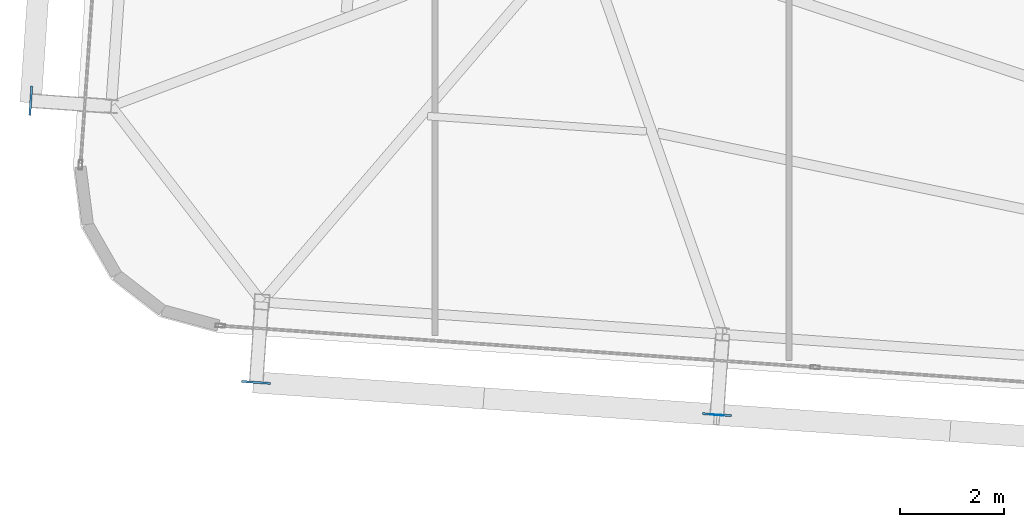
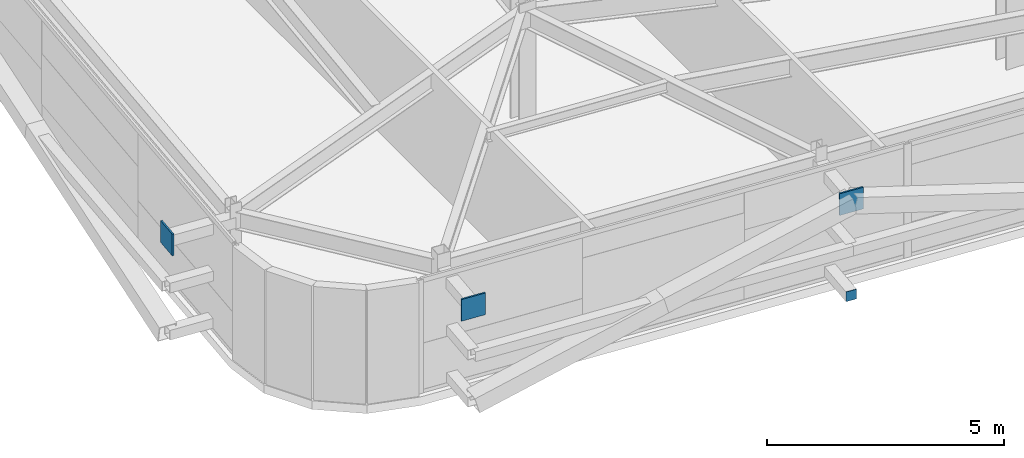
# One storey, part 27 of 39: 4 plates.
"""IFC4 building model written with IfcOpenShell, lengths in metres."""

from ifc_helpers import new_model, si_unit, direction, frame, origin, origin_2d, place, context, subcontext, project, spatial, rectangle, extrude, source, transform, mapped, material, layer, layer_set, type_object, element, save


model = new_model("IFC4")

# Units and contexts
model_context = context("Model", 3, precision=1e-05, world=origin(), true_north=direction((0.0, 1.0)))
body_context = subcontext(model_context, "Body", "Model", "MODEL_VIEW")
ifc_project = project(units=[si_unit("LENGTHUNIT", "METRE"), si_unit("AREAUNIT", "SQUARE_METRE"), si_unit("VOLUMEUNIT", "CUBIC_METRE"), si_unit("PLANEANGLEUNIT", "RADIAN"), si_unit("MASSUNIT", "GRAM", prefix="KILO")], contexts=[model_context])

# Site, building, storey
site_placement = place(None, origin())
site = spatial("IfcSite", under=ifc_project, at=site_placement, CompositionType="ELEMENT")
building_placement = place(site_placement, origin())
building = spatial("IfcBuilding", under=site, at=building_placement, Name="Taldren Reach Tower", CompositionType="ELEMENT")
storey_placement = place(building_placement, frame((0.0, 0.0, 133.0)))
storey = spatial("IfcBuildingStorey", under=building, at=storey_placement, Name="L40", CompositionType="ELEMENT", Elevation=133.0)

# Plates
ifc_material_1 = material(Name="Steel Gr 450 (C450L0)", Category="steel")
ifc_layer_1 = layer(ifc_material_1, 0.0400390625)
ifc_layer_set_1 = layer_set([ifc_layer_1], Name="Steel Gr 450 (C450L0)")
plate_type_1 = type_object("IfcPlateType", Name="PL-GUSSET-40", PredefinedType="SHEET", material=ifc_layer_set_1)
shared_shape_1 = source(origin(), body_context, "Body", "SweptSolid", [
    extrude(rectangle(XDim=0.56005859375, YDim=0.0400390625, at=origin_2d()), origin(), (0.0, 0.0, 1.0), 0.56005859375),
])
for number, where, z_axis, x_axis, name in (
    (1, (11.75537109375, 3.792236328125, 2.369873046875), (0.0, 0.0, 1.0), (0.99756405026, -0.069756473744, 0.0), "Exoskeleton star-node gusset plate B3-S1 L40"),
    (2, (20.61376953125, 3.1728515625, 2.369873046875), (0.0, 0.0, 1.0), (0.99756405026, -0.069756473744, 0.0), "Exoskeleton star-node gusset plate B3-S2 L40"),
    (3, (7.422607421875, 9.20751953125, 2.369873046875), (0.0, 0.0, 1.0), (0.069756473744, 0.99756405026, 0.0), "Exoskeleton star-node gusset plate B3-W1 L40"),
):
    element("IfcPlate", number, at=place(storey_placement, frame(where, z_axis=z_axis, x_axis=x_axis)), inside=storey, type_object=plate_type_1, Name=name, PredefinedType="SHEET", context=body_context, shape_type="MappedRepresentation", body=[
        mapped(shared_shape_1, transform((0.0, 0.0, 0.0), scale=1.0)),
    ])
ifc_material_2 = material(Name="Steel Gr 350 (C350L0)", Category="steel")
ifc_layer_2 = layer(ifc_material_2, 0.011962890625)
ifc_layer_set_2 = layer_set([ifc_layer_2], Name="Steel Gr 350 (C350L0)")
plate_type_2 = type_object("IfcPlateType", Name="PL-CAP-250", PredefinedType="SHEET", material=ifc_layer_set_2)
shared_shape_2 = source(origin(), body_context, "Body", "SweptSolid", [
    extrude(rectangle(XDim=0.25, YDim=0.011962890625, at=origin_2d()), origin(), (0.0, 0.0, 1.0), 0.25),
])
plate_placement = place(storey_placement, frame((20.61328125, 3.166748046875, 0.094970703125), z_axis=(0.0, 0.0, 1.0), x_axis=(0.99756405026, -0.069756473744, 0.0)))
element("IfcPlate", 4, at=plate_placement, inside=storey, type_object=plate_type_2, Name="Tie strut end cap plate B3-S2 L40", PredefinedType="SHEET", context=body_context, shape_type="MappedRepresentation", body=[
    mapped(shared_shape_2, transform((0.0, 0.0, 0.0), scale=1.0)),
])

save(model, "model.ifc")
